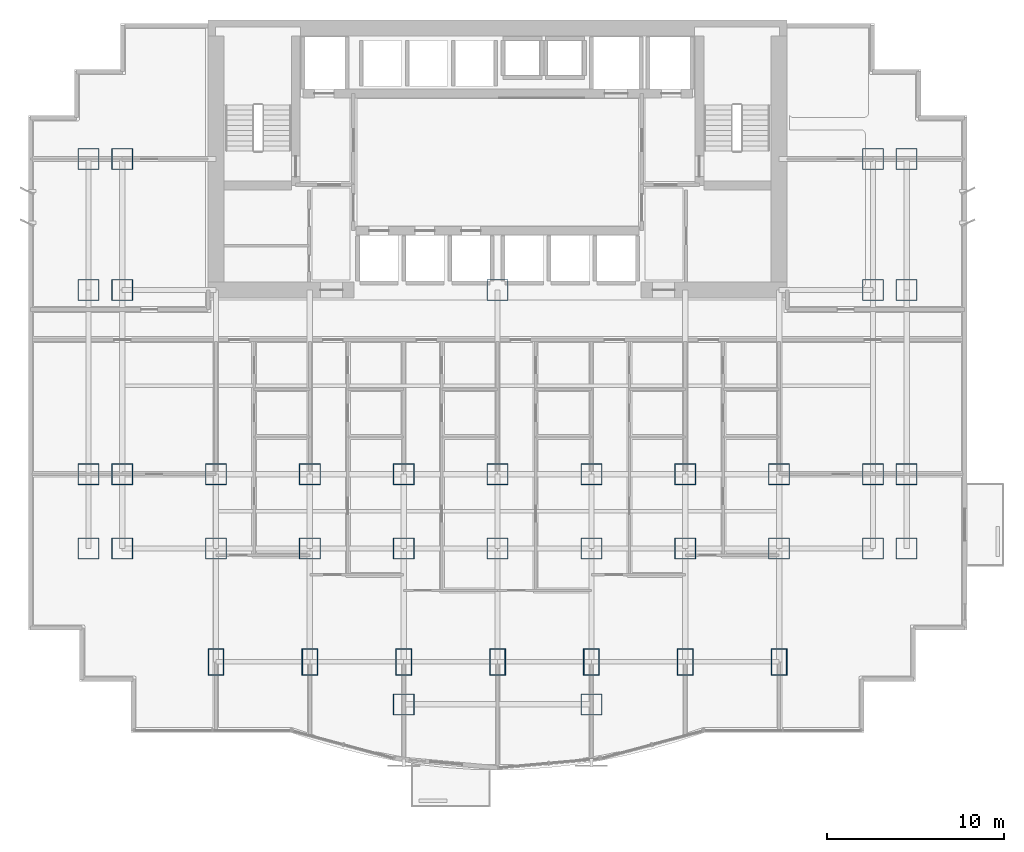
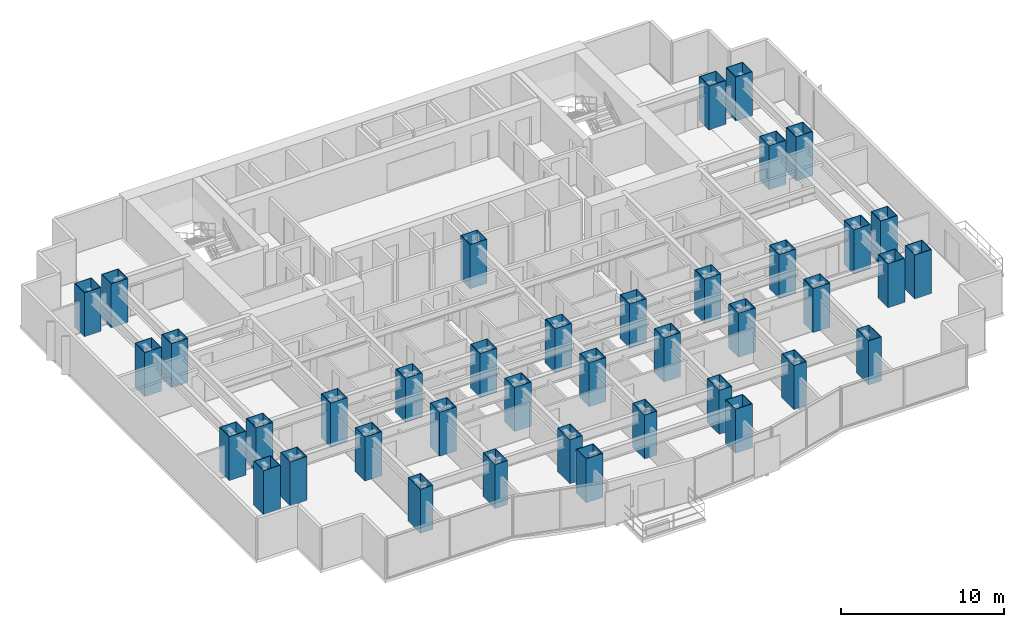
# One storey, part 1 of 10: 40 columns.
"""IFC4 building model written with IfcOpenShell, lengths in metres."""

from ifc_helpers import new_model, si_unit, direction, frame, origin, origin_2d, place, context, subcontext, project, spatial, hollow_rectangle, extrude, material, material_profile, profile_set, type_object, element, save


model = new_model("IFC4")

# Units and contexts
model_context = context("Model", 3, precision=1e-05, world=origin(), true_north=direction((0.0, 1.0)))
body_context = subcontext(model_context, "Body", "Model", "MODEL_VIEW")
ifc_project = project(units=[si_unit("LENGTHUNIT", "METRE"), si_unit("AREAUNIT", "SQUARE_METRE"), si_unit("VOLUMEUNIT", "CUBIC_METRE"), si_unit("PLANEANGLEUNIT", "RADIAN"), si_unit("MASSUNIT", "GRAM", prefix="KILO")], contexts=[model_context])

# Site, building, storey
site_placement = place(None, origin())
site = spatial("IfcSite", under=ifc_project, at=site_placement, CompositionType="ELEMENT")
building_placement = place(site_placement, origin())
building = spatial("IfcBuilding", under=site, at=building_placement, Name="Qianlan Lanfeng Residences", CompositionType="ELEMENT")
storey_placement = place(building_placement, frame((0.0, 0.0, 30.800048828125)))
storey = spatial("IfcBuildingStorey", under=building, at=storey_placement, Name="L07", CompositionType="ELEMENT", Elevation=30.800048828125)

# Columns
ifc_material_1 = material(Name="Steel SM570 (420 MPa)", Category="steel")
ifc_material_profile_1 = material_profile(ifc_material_1, hollow_rectangle(XDim=1.199951171875, YDim=1.199951171875, WallThickness=0.0400390625, at=origin_2d()), Name="BOX 1200x1200x40")
ifc_profile_set_1 = profile_set([ifc_material_profile_1], Name="Steel SM570 (420 MPa)")
column_type_1 = type_object("IfcColumnType", Name="C-B1400", PredefinedType="COLUMN", material=ifc_profile_set_1)
for number, where, z_axis, x_axis, name in (
    (1, (26.5, 25.199951171875, 0.0), (0.0, 0.0, 1.0), (1.0, 0.0, 0.0), "L07 Structural Column CP_26.5_25.2"),
    (2, (10.60009765625, 14.800048828125, 0.0), (0.0, 0.0, 1.0), (1.0, 0.0, 0.0), "L07 Structural Column M_10.60_14.80"),
    (3, (10.60009765625, 10.60009765625, 0.0), (0.0, 0.0, 1.0), (1.0, 0.0, 0.0), "L07 Structural Column G_10.60_10.60"),
    (4, (15.89990234375, 14.800048828125, 0.0), (0.0, 0.0, 1.0), (1.0, 0.0, 0.0), "L07 Structural Column M_15.90_14.80"),
    (5, (15.89990234375, 10.60009765625, 0.0), (0.0, 0.0, 1.0), (1.0, 0.0, 0.0), "L07 Structural Column G_15.90_10.60"),
    (6, (21.199951171875, 14.800048828125, 0.0), (0.0, 0.0, 1.0), (1.0, 0.0, 0.0), "L07 Structural Column M_21.20_14.80"),
    (7, (21.199951171875, 10.60009765625, 0.0), (0.0, 0.0, 1.0), (1.0, 0.0, 0.0), "L07 Structural Column G_21.20_10.60"),
    (8, (26.5, 14.800048828125, 0.0), (0.0, 0.0, 1.0), (1.0, 0.0, 0.0), "L07 Structural Column M_26.50_14.80"),
    (9, (26.5, 10.60009765625, 0.0), (0.0, 0.0, 1.0), (1.0, 0.0, 0.0), "L07 Structural Column G_26.50_10.60"),
    (10, (31.800048828125, 14.800048828125, 0.0), (0.0, 0.0, 1.0), (1.0, 0.0, 0.0), "L07 Structural Column M_31.80_14.80"),
    (11, (31.800048828125, 10.60009765625, 0.0), (0.0, 0.0, 1.0), (1.0, 0.0, 0.0), "L07 Structural Column G_31.80_10.60"),
    (12, (37.10009765625, 14.800048828125, 0.0), (0.0, 0.0, 1.0), (1.0, 0.0, 0.0), "L07 Structural Column M_37.10_14.80"),
    (13, (37.10009765625, 10.60009765625, 0.0), (0.0, 0.0, 1.0), (1.0, 0.0, 0.0), "L07 Structural Column G_37.10_10.60"),
    (14, (42.39990234375, 14.800048828125, 0.0), (0.0, 0.0, 1.0), (1.0, 0.0, 0.0), "L07 Structural Column M_42.40_14.80"),
    (15, (42.39990234375, 10.60009765625, 0.0), (0.0, 0.0, 1.0), (1.0, 0.0, 0.0), "L07 Structural Column G_42.40_10.60"),
    (16, (21.199951171875, 1.800048828125, 0.0), (0.0, 0.0, 1.0), (1.0, 0.0, 0.0), "L07 Structural Column P_21.20_1.80"),
    (17, (31.800048828125, 1.800048828125, 0.0), (0.0, 0.0, 1.0), (1.0, 0.0, 0.0), "L07 Structural Column P_31.80_1.80"),
    (18, (3.39990234375, 10.60009765625, 0.0), (0.0, 0.0, 1.0), (1.0, 0.0, 0.0), "L07 Structural Column W_3.40_10.60"),
    (19, (3.39990234375, 14.800048828125, 0.0), (0.0, 0.0, 1.0), (1.0, 0.0, 0.0), "L07 Structural Column W_3.40_14.80"),
    (20, (3.39990234375, 25.199951171875, 0.0), (0.0, 0.0, 1.0), (1.0, 0.0, 0.0), "L07 Structural Column W_3.40_25.20"),
    (21, (3.39990234375, 32.60009765625, 0.0), (0.0, 0.0, 1.0), (1.0, 0.0, 0.0), "L07 Structural Column W_3.40_32.60"),
    (22, (5.300048828125, 10.60009765625, 0.0), (0.0, 0.0, 1.0), (1.0, 0.0, 0.0), "L07 Structural Column W_5.30_10.60"),
    (23, (5.300048828125, 14.800048828125, 0.0), (0.0, 0.0, 1.0), (1.0, 0.0, 0.0), "L07 Structural Column W_5.30_14.80"),
    (24, (5.300048828125, 25.199951171875, 0.0), (0.0, 0.0, 1.0), (1.0, 0.0, 0.0), "L07 Structural Column W_5.30_25.20"),
    (25, (5.300048828125, 32.60009765625, 0.0), (0.0, 0.0, 1.0), (1.0, 0.0, 0.0), "L07 Structural Column W_5.30_32.60"),
    (26, (47.699951171875, 10.60009765625, 0.0), (0.0, 0.0, 1.0), (1.0, 0.0, 0.0), "L07 Structural Column W_47.70_10.60"),
    (27, (47.699951171875, 14.800048828125, 0.0), (0.0, 0.0, 1.0), (1.0, 0.0, 0.0), "L07 Structural Column W_47.70_14.80"),
    (28, (47.699951171875, 25.199951171875, 0.0), (0.0, 0.0, 1.0), (1.0, 0.0, 0.0), "L07 Structural Column W_47.70_25.20"),
    (29, (47.699951171875, 32.60009765625, 0.0), (0.0, 0.0, 1.0), (1.0, 0.0, 0.0), "L07 Structural Column W_47.70_32.60"),
    (30, (49.60009765625, 10.60009765625, 0.0), (0.0, 0.0, 1.0), (1.0, 0.0, 0.0), "L07 Structural Column W_49.60_10.60"),
    (31, (49.60009765625, 14.800048828125, 0.0), (0.0, 0.0, 1.0), (1.0, 0.0, 0.0), "L07 Structural Column W_49.60_14.80"),
    (32, (49.60009765625, 25.199951171875, 0.0), (0.0, 0.0, 1.0), (1.0, 0.0, 0.0), "L07 Structural Column W_49.60_25.20"),
    (33, (49.60009765625, 32.60009765625, 0.0), (0.0, 0.0, 1.0), (1.0, 0.0, 0.0), "L07 Structural Column W_49.60_32.60"),
):
    element("IfcColumn", number, at=place(storey_placement, frame(where, z_axis=z_axis, x_axis=x_axis)), inside=storey, type_object=column_type_1, Name=name, PredefinedType="COLUMN", context=body_context, shape_type="SweptSolid", body=[
        extrude(hollow_rectangle(XDim=1.199951171875, YDim=1.199951171875, WallThickness=0.0400390625, at=origin_2d()), origin(), (0.0, 0.0, 1.0), 3.300048828125),
    ])
ifc_material_2 = material(Name="Steel SN490B", Category="steel")
ifc_material_profile_2 = material_profile(ifc_material_2, hollow_rectangle(XDim=0.89990234375, YDim=1.5, WallThickness=0.035888671875, at=origin_2d()), Name="BOX 1500x900x36")
ifc_profile_set_2 = profile_set([ifc_material_profile_2], Name="Steel SN490B")
column_type_2 = type_object("IfcColumnType", Name="CE-B1250", PredefinedType="COLUMN", material=ifc_profile_set_2)
for number, where, z_axis, x_axis, name in (
    (34, (10.60009765625, 4.199951171875, 0.0), (0.0, 0.0, 1.0), (1.0, 0.0, 0.0), "L07 Structural Column S_10.60_4.20"),
    (35, (15.89990234375, 4.199951171875, 0.0), (0.0, 0.0, 1.0), (1.0, 0.0, 0.0), "L07 Structural Column S_15.90_4.20"),
    (36, (21.199951171875, 4.199951171875, 0.0), (0.0, 0.0, 1.0), (1.0, 0.0, 0.0), "L07 Structural Column S_21.20_4.20"),
    (37, (26.5, 4.199951171875, 0.0), (0.0, 0.0, 1.0), (1.0, 0.0, 0.0), "L07 Structural Column S_26.50_4.20"),
    (38, (31.800048828125, 4.199951171875, 0.0), (0.0, 0.0, 1.0), (1.0, 0.0, 0.0), "L07 Structural Column S_31.80_4.20"),
    (39, (37.10009765625, 4.199951171875, 0.0), (0.0, 0.0, 1.0), (1.0, 0.0, 0.0), "L07 Structural Column S_37.10_4.20"),
    (40, (42.39990234375, 4.199951171875, 0.0), (0.0, 0.0, 1.0), (1.0, 0.0, 0.0), "L07 Structural Column S_42.40_4.20"),
):
    element("IfcColumn", number, at=place(storey_placement, frame(where, z_axis=z_axis, x_axis=x_axis)), inside=storey, type_object=column_type_2, Name=name, PredefinedType="COLUMN", context=body_context, shape_type="SweptSolid", body=[
        extrude(hollow_rectangle(XDim=0.89990234375, YDim=1.5, WallThickness=0.035888671875, at=origin_2d()), origin(), (0.0, 0.0, 1.0), 3.300048828125),
    ])

save(model, "model.ifc")
